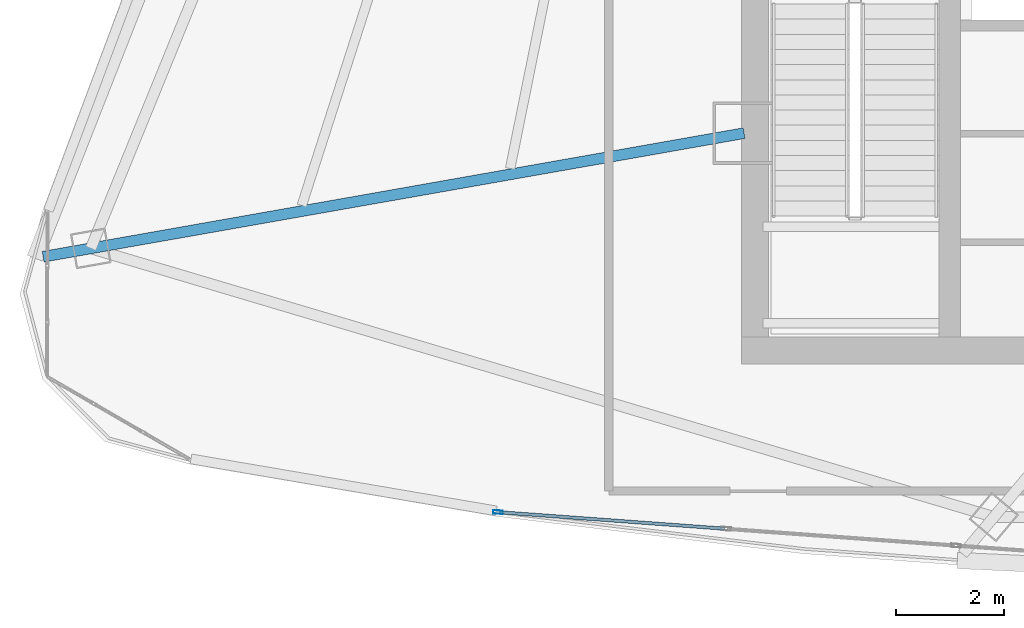
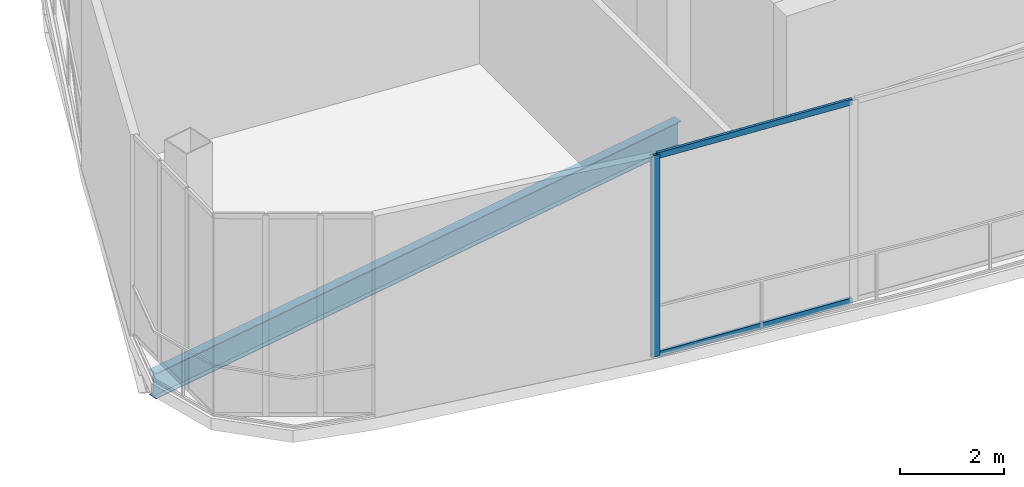
# One storey, part 3 of 33: 3 members, 1 beam, 1 element without a shape of its own.
"""IFC4 building model written with IfcOpenShell, lengths in metres."""

from ifc_helpers import new_model, si_unit, direction, frame, origin, origin_2d, place, context, subcontext, project, spatial, hollow_rectangle, i_section, extrude, source, transform, mapped, material, layer, layer_set, material_profile, profile_set, type_object, element, aggregate, save


model = new_model("IFC4")

# Units and contexts
model_context = context("Model", 3, precision=1e-05, world=origin(), true_north=direction((0.0, 1.0)))
body_context = subcontext(model_context, "Body", "Model", "MODEL_VIEW")
ifc_project = project(units=[si_unit("LENGTHUNIT", "METRE"), si_unit("AREAUNIT", "SQUARE_METRE"), si_unit("VOLUMEUNIT", "CUBIC_METRE"), si_unit("PLANEANGLEUNIT", "RADIAN"), si_unit("MASSUNIT", "GRAM", prefix="KILO"), si_unit("THERMODYNAMICTEMPERATUREUNIT", "KELVIN"), si_unit("POWERUNIT", "WATT")], contexts=[model_context])

# Site, building, storey
site_placement = place(None, origin())
site = spatial("IfcSite", under=ifc_project, at=site_placement, CompositionType="ELEMENT")
building_placement = place(site_placement, origin())
building = spatial("IfcBuilding", under=site, at=building_placement, Name="Yunzhuo Pagoda Commons", CompositionType="ELEMENT")
storey_placement = place(building_placement, frame((0.0, 0.0, 391.760009765625)))
storey = spatial("IfcBuildingStorey", under=building, at=storey_placement, Name="L97", CompositionType="ELEMENT", Elevation=391.760009765625)

# Beam
ifc_material_1 = material(Name="Structural steel Q355B", Category="steel")
ifc_material_profile_1 = material_profile(ifc_material_1, i_section(OverallWidth=0.199951171875, OverallDepth=0.60009765625, WebThickness=0.010986328125, FlangeThickness=0.01708984375, at=origin_2d()), Name="Structural steel Q355B")
ifc_profile_set_1 = profile_set([ifc_material_profile_1], Name="Structural steel Q355B")
beam_type = type_object("IfcBeamType", Name="B-RG3 Beam HN 600x200x11x17", PredefinedType="BEAM", material=ifc_profile_set_1)
shared_shape_1 = source(origin(), body_context, "Body", "SweptSolid", [
    extrude(i_section(OverallWidth=0.199951171875, OverallDepth=0.60009765625, WebThickness=0.010986328125, FlangeThickness=0.01708984375, at=origin_2d()), origin(), (0.0, 0.0, 1.0), 13.151123046875),
])
beam_placement = place(storey_placement, frame((22.648681640625, 29.229736328125, -0.580078125), z_axis=(0.984807657771, 0.173648717804, 0.0), x_axis=(-0.173648717804, 0.984807657771, 0.0)))
element("IfcBeam", 1, at=beam_placement, inside=storey, type_object=beam_type, Name="L97 radial floor girder F3C4", PredefinedType="BEAM", context=body_context, shape_type="MappedRepresentation", body=[
    mapped(shared_shape_1, transform((0.0, 0.0, 0.0), scale=1.0)),
])

# Curtain wall, members
ifc_material_2 = material(Name="Anodized aluminium 6063-T6", Category="aluminium")
ifc_layer = layer(ifc_material_2, 0.179931640625)
ifc_layer_set = layer_set([ifc_layer], Name="Anodized aluminium 6063-T6")
curtain_wall_type = type_object("IfcCurtainWallType", Name="CW-CRN Crown Gable Glazing System", PredefinedType="NOTDEFINED", material=ifc_layer_set)
curtain_wall_placement = place(storey_placement, origin())
curtain_wall = element("IfcCurtainWall", 2, at=curtain_wall_placement, inside=storey, type_object=curtain_wall_type, Name="L97 curtain wall CW-L97-CRNF1G1", PredefinedType="NOTDEFINED")
ifc_material_profile_2 = material_profile(ifc_material_2, hollow_rectangle(XDim=0.06494140625, YDim=0.179931640625, WallThickness=0.00390625, at=origin_2d()), Name="Anodized aluminium 6063-T6")
ifc_profile_set_2 = profile_set([ifc_material_profile_2], Name="Anodized aluminium 6063-T6")
member_type_1 = type_object("IfcMemberType", Name="CW-CRN-M Mullion RHS 180x65x4", PredefinedType="MULLION", material=ifc_profile_set_2)
shared_shape_2 = source(origin(), body_context, "Body", "SweptSolid", [
    extrude(hollow_rectangle(XDim=0.06494140625, YDim=0.179931640625, WallThickness=0.00390625, at=origin_2d()), origin(), (0.0, 0.0, 1.0), 4.72021484375),
])
member_1_placement = place(storey_placement, frame((31.053466796875, 24.511474609375, 0.0), z_axis=(0.0, 0.0, 1.0), x_axis=(0.072795570763, 0.997346882924, 0.0)))
member_1 = element("IfcMember", 3, at=member_1_placement, type_object=member_type_1, Name="CW mullion 1", PredefinedType="MULLION", context=body_context, shape_type="MappedRepresentation", body=[
    mapped(shared_shape_2, transform((0.0, 0.0, 0.0), scale=1.0)),
])
ifc_material_profile_3 = material_profile(ifc_material_2, hollow_rectangle(XDim=0.06005859375, YDim=0.139892578125, WallThickness=0.00341796875, at=origin_2d()), Name="Anodized aluminium 6063-T6")
ifc_profile_set_3 = profile_set([ifc_material_profile_3], Name="Anodized aluminium 6063-T6")
member_type_2 = type_object("IfcMemberType", Name="CW-CRN-T Transom RHS 140x60x3.5", PredefinedType="USERDEFINED", material=ifc_profile_set_3)
shared_shape_3 = source(origin(), body_context, "Body", "SweptSolid", [
    extrude(hollow_rectangle(XDim=0.06005859375, YDim=0.139892578125, WallThickness=0.00341796875, at=origin_2d()), origin(), (0.0, 0.0, 1.0), 4.15966796875),
])
member_2_placement = place(storey_placement, frame((31.086181640625, 24.5087890625, 0.030029296875), z_axis=(0.997348185871, -0.072777717324, 0.0), x_axis=(0.072777717324, 0.997348185871, 0.0)))
member_2 = element("IfcMember", 4, at=member_2_placement, type_object=member_type_2, Name="CW transom 1.1", ObjectType="TRANSOM", PredefinedType="USERDEFINED", context=body_context, shape_type="MappedRepresentation", body=[
    mapped(shared_shape_3, transform((0.0, 0.0, 0.0), scale=1.0)),
])
member_3_placement = place(storey_placement, frame((31.086181640625, 24.5087890625, 4.68994140625), z_axis=(0.997348185871, -0.072777717324, 0.0), x_axis=(0.072777717324, 0.997348185871, 0.0)))
member_3 = element("IfcMember", 5, at=member_3_placement, type_object=member_type_2, Name="CW transom 1.2", ObjectType="TRANSOM", PredefinedType="USERDEFINED", context=body_context, shape_type="MappedRepresentation", body=[
    mapped(shared_shape_3, transform((0.0, 0.0, 0.0), scale=1.0)),
])
aggregate(curtain_wall, [member_1, member_2, member_3])

save(model, "model.ifc")
